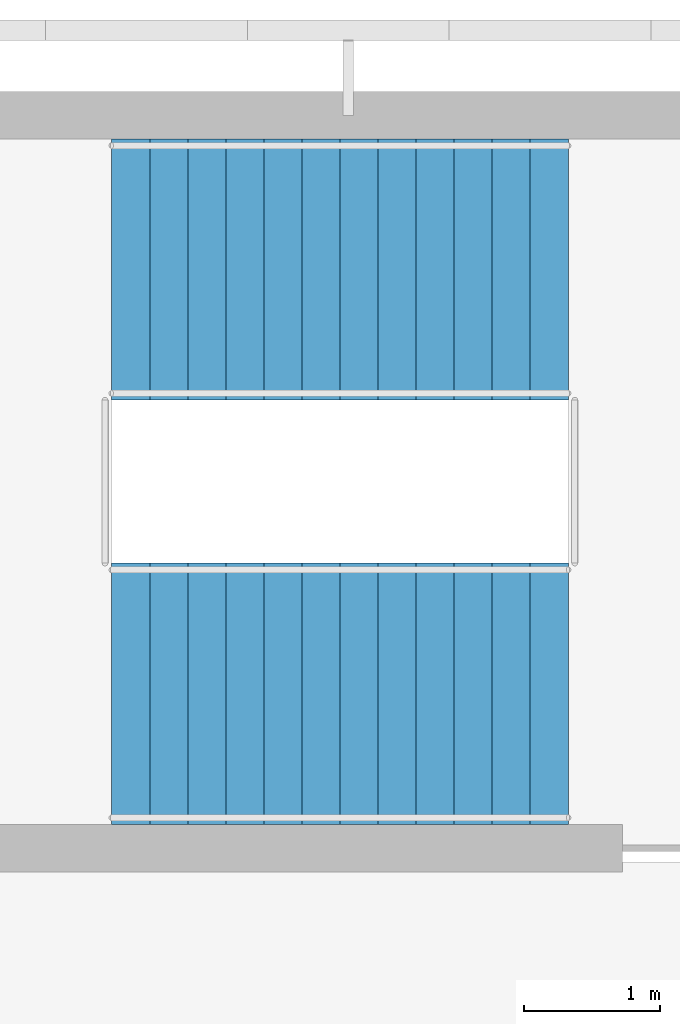
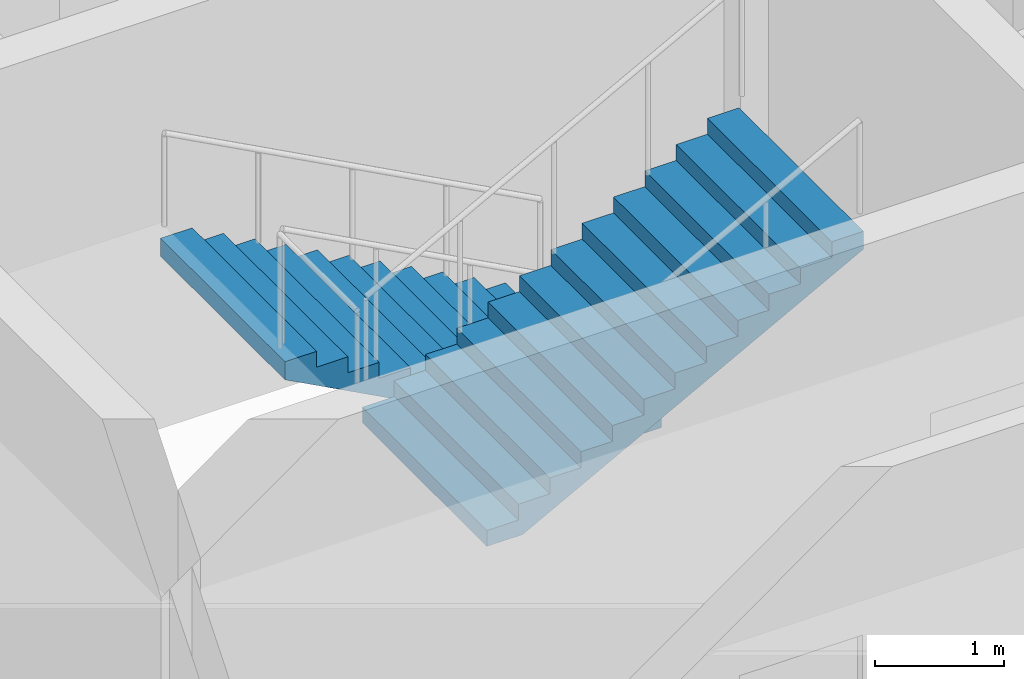
# One storey, part 47 of 74: 2 stair flights, 1 element without a shape of its own.
"""IFC4 building model written with IfcOpenShell, lengths in metres."""

from ifc_helpers import new_model, si_unit, direction, frame, origin, place, context, subcontext, project, spatial, polyline, outline, extrude, material, type_object, element, aggregate, save


model = new_model("IFC4")

# Units and contexts
model_context = context("Model", 3, precision=1e-05, world=origin(), true_north=direction((0.0, 1.0)))
body_context = subcontext(model_context, "Body", "Model", "MODEL_VIEW")
ifc_project = project(units=[si_unit("LENGTHUNIT", "METRE"), si_unit("AREAUNIT", "SQUARE_METRE"), si_unit("VOLUMEUNIT", "CUBIC_METRE"), si_unit("PLANEANGLEUNIT", "RADIAN"), si_unit("MASSUNIT", "GRAM", prefix="KILO")], contexts=[model_context])

# Site, building, storey
site_placement = place(None, origin())
site = spatial("IfcSite", under=ifc_project, at=site_placement, CompositionType="ELEMENT")
building_placement = place(site_placement, origin())
building = spatial("IfcBuilding", under=site, at=building_placement, Name="Bougainvillea Quay General Hospital", CompositionType="ELEMENT")
storey_placement = place(building_placement, frame((0.0, 0.0, 21.0)))
storey = spatial("IfcBuildingStorey", under=building, at=storey_placement, Name="L04", CompositionType="ELEMENT", Elevation=21.0)

# Stair, stair flights
ifc_material = material(Name="Concrete C35", Category="concrete")
stair_type = type_object("IfcStairType", Name="Stair half-turn 1925 wide", PredefinedType="HALF_TURN_STAIR", material=ifc_material)
stair_placement = place(storey_placement, origin())
stair = element("IfcStair", 1, at=stair_placement, inside=storey, type_object=stair_type, Name="L04 stair ST-A4", PredefinedType="HALF_TURN_STAIR")
stair_flight_type = type_object("IfcStairFlightType", Name="Stair flight 1925", PredefinedType="STRAIGHT", material=ifc_material)
stair_flight_1_placement = place(storey_placement, frame((182.699951171875, 158.46240234375, 0.0), z_axis=(0.0, 0.0, 1.0), x_axis=(-1.0, 0.0, 0.0)))
stair_flight_1 = element("IfcStairFlight", 2, at=stair_flight_1_placement, type_object=stair_flight_type, Name="ST-A4 flight 1", NumberOfRisers=13, NumberOfTreads=12, PredefinedType="STRAIGHT", RiserHeight=0.15, TreadLength=0.28, context=body_context, shape_type="SweptSolid", body=[
    extrude(outline(polyline([(-0.0029296875, 0.0), (-0.0029296875, 0.003662109375), (-0.0029296875, 0.00732421875), (-0.0029296875, 0.010986328125), (-0.0029296875, 0.0146484375), (-0.0029296875, 0.018310546875), (-0.0029296875, 0.02197265625), (-0.0029296875, 0.025634765625), (-0.0029296875, 0.029296875), (-0.0029296875, 0.032958984375), (-0.0029296875, 0.03662109375), (-0.0029296875, 0.040283203125), (-0.0029296875, 0.0439453125), (-0.0029296875, 0.047607421875), (-0.0029296875, 0.05126953125), (-0.0029296875, 0.054931640625), (-0.0029296875, 0.05859375), (-0.0029296875, 0.062255859375), (-0.0029296875, 0.06591796875), (-0.0029296875, 0.069580078125), (-0.0029296875, 0.0732421875), (-0.0029296875, 0.076904296875), (-0.0029296875, 0.08056640625), (-0.0029296875, 0.084228515625), (-0.0029296875, 0.087890625), (-0.0029296875, 0.091552734375), (-0.0029296875, 0.09521484375), (-0.0029296875, 0.098876953125), (-0.0029296875, 0.1025390625), (-0.0029296875, 0.106201171875), (-0.0029296875, 0.10986328125), (-0.0029296875, 0.113525390625), (-0.0029296875, 0.1171875), (-0.0029296875, 0.120849609375), (-0.0029296875, 0.12451171875), (-0.0029296875, 0.1279296875), (-0.0029296875, 0.131591796875), (-0.0029296875, 0.13525390625), (-0.0029296875, 0.138916015625), (-0.0029296875, 0.142578125), (-0.0029296875, 0.146240234375), (-0.0029296875, 0.14990234375), (0.280029296875, 0.14990234375), (0.280029296875, 0.300048828125), (0.56005859375, 0.300048828125), (0.56005859375, 0.449951171875), (0.840087890625, 0.449951171875), (0.840087890625, 0.60009765625), (1.1201171875, 0.60009765625), (1.1201171875, 0.75), (1.39990234375, 0.75), (1.39990234375, 0.89990234375), (1.679931640625, 0.89990234375), (1.679931640625, 1.050048828125), (1.9599609375, 1.050048828125), (1.9599609375, 1.199951171875), (2.239990234375, 1.199951171875), (2.239990234375, 1.35009765625), (2.52001953125, 1.35009765625), (2.52001953125, 1.5), (2.800048828125, 1.5), (2.800048828125, 1.64990234375), (3.080078125, 1.64990234375), (3.080078125, 1.800048828125), (3.363037109375, 1.800048828125), (3.363037109375, 1.7958984375), (3.363037109375, 1.791748046875), (3.363037109375, 1.78759765625), (3.363037109375, 1.783447265625), (3.363037109375, 1.779296875), (3.363037109375, 1.775146484375), (3.363037109375, 1.77099609375), (3.363037109375, 1.766845703125), (3.363037109375, 1.7626953125), (3.363037109375, 1.758544921875), (3.363037109375, 1.75439453125), (3.363037109375, 1.750244140625), (3.363037109375, 1.74609375), (3.363037109375, 1.741943359375), (3.363037109375, 1.73779296875), (3.363037109375, 1.733642578125), (3.363037109375, 1.7294921875), (3.363037109375, 1.725341796875), (3.363037109375, 1.72119140625), (3.363037109375, 1.717041015625), (3.363037109375, 1.712890625), (3.363037109375, 1.708740234375), (3.363037109375, 1.70458984375), (3.363037109375, 1.700439453125), (3.363037109375, 1.6962890625), (3.363037109375, 1.692138671875), (3.363037109375, 1.68798828125), (3.363037109375, 1.683837890625), (3.363037109375, 1.6796875), (3.363037109375, 1.675537109375), (3.363037109375, 1.67138671875), (3.363037109375, 1.667236328125), (3.363037109375, 1.6630859375), (3.363037109375, 1.658935546875), (3.363037109375, 1.65478515625), (3.363037109375, 1.650634765625), (3.363037109375, 1.646484375), (3.363037109375, 1.642333984375), (3.363037109375, 1.63818359375), (3.363037109375, 1.634033203125), (3.363037109375, 1.6298828125), (0.3173828125, 0.0), (-0.0029296875, 0.0)])), frame((0.0, 0.96240234375, 0.0), z_axis=(0.0, -1.0, 0.0), x_axis=(1.0, 0.0, 0.0)), (0.0, 0.0, 1.0), 1.925048828125),
])
stair_flight_2_placement = place(storey_placement, frame((179.340087890625, 155.33740234375, 1.949951171875), z_axis=(0.0, 0.0, 1.0), x_axis=(1.0, 0.0, 0.0)))
stair_flight_2 = element("IfcStairFlight", 3, at=stair_flight_2_placement, type_object=stair_flight_type, Name="ST-A4 flight 2", NumberOfRisers=13, NumberOfTreads=12, PredefinedType="STRAIGHT", RiserHeight=0.15, TreadLength=0.28, context=body_context, shape_type="SweptSolid", body=[
    extrude(outline(polyline([(-0.0029296875, 0.0), (-0.0029296875, 0.003662109375), (-0.0029296875, 0.00732421875), (-0.0029296875, 0.010986328125), (-0.0029296875, 0.0146484375), (-0.0029296875, 0.018310546875), (-0.0029296875, 0.02197265625), (-0.0029296875, 0.025634765625), (-0.0029296875, 0.029296875), (-0.0029296875, 0.032958984375), (-0.0029296875, 0.03662109375), (-0.0029296875, 0.040283203125), (-0.0029296875, 0.0439453125), (-0.0029296875, 0.047607421875), (-0.0029296875, 0.05126953125), (-0.0029296875, 0.054931640625), (-0.0029296875, 0.05859375), (-0.0029296875, 0.062255859375), (-0.0029296875, 0.06591796875), (-0.0029296875, 0.069580078125), (-0.0029296875, 0.0732421875), (-0.0029296875, 0.076904296875), (-0.0029296875, 0.08056640625), (-0.0029296875, 0.084228515625), (-0.0029296875, 0.087890625), (-0.0029296875, 0.091552734375), (-0.0029296875, 0.09521484375), (-0.0029296875, 0.098876953125), (-0.0029296875, 0.1025390625), (-0.0029296875, 0.106201171875), (-0.0029296875, 0.10986328125), (-0.0029296875, 0.113525390625), (-0.0029296875, 0.1171875), (-0.0029296875, 0.120849609375), (-0.0029296875, 0.12451171875), (-0.0029296875, 0.1279296875), (-0.0029296875, 0.131591796875), (-0.0029296875, 0.13525390625), (-0.0029296875, 0.138916015625), (-0.0029296875, 0.142578125), (-0.0029296875, 0.146240234375), (-0.0029296875, 0.14990234375), (0.280029296875, 0.14990234375), (0.280029296875, 0.300048828125), (0.56005859375, 0.300048828125), (0.56005859375, 0.449951171875), (0.840087890625, 0.449951171875), (0.840087890625, 0.60009765625), (1.1201171875, 0.60009765625), (1.1201171875, 0.75), (1.39990234375, 0.75), (1.39990234375, 0.89990234375), (1.679931640625, 0.89990234375), (1.679931640625, 1.050048828125), (1.9599609375, 1.050048828125), (1.9599609375, 1.199951171875), (2.239990234375, 1.199951171875), (2.239990234375, 1.35009765625), (2.52001953125, 1.35009765625), (2.52001953125, 1.5), (2.800048828125, 1.5), (2.800048828125, 1.64990234375), (3.080078125, 1.64990234375), (3.080078125, 1.800048828125), (3.363037109375, 1.800048828125), (3.363037109375, 1.7958984375), (3.363037109375, 1.791748046875), (3.363037109375, 1.78759765625), (3.363037109375, 1.783447265625), (3.363037109375, 1.779296875), (3.363037109375, 1.775146484375), (3.363037109375, 1.77099609375), (3.363037109375, 1.766845703125), (3.363037109375, 1.7626953125), (3.363037109375, 1.758544921875), (3.363037109375, 1.75439453125), (3.363037109375, 1.750244140625), (3.363037109375, 1.74609375), (3.363037109375, 1.741943359375), (3.363037109375, 1.73779296875), (3.363037109375, 1.733642578125), (3.363037109375, 1.7294921875), (3.363037109375, 1.725341796875), (3.363037109375, 1.72119140625), (3.363037109375, 1.717041015625), (3.363037109375, 1.712890625), (3.363037109375, 1.708740234375), (3.363037109375, 1.70458984375), (3.363037109375, 1.700439453125), (3.363037109375, 1.6962890625), (3.363037109375, 1.692138671875), (3.363037109375, 1.68798828125), (3.363037109375, 1.683837890625), (3.363037109375, 1.6796875), (3.363037109375, 1.675537109375), (3.363037109375, 1.67138671875), (3.363037109375, 1.667236328125), (3.363037109375, 1.6630859375), (3.363037109375, 1.658935546875), (3.363037109375, 1.65478515625), (3.363037109375, 1.650634765625), (3.363037109375, 1.646484375), (3.363037109375, 1.642333984375), (3.363037109375, 1.63818359375), (3.363037109375, 1.634033203125), (3.363037109375, 1.6298828125), (0.3173828125, 0.0), (-0.0029296875, 0.0)])), frame((0.0, 0.96240234375, 0.0), z_axis=(0.0, -1.0, 0.0), x_axis=(1.0, 0.0, 0.0)), (0.0, 0.0, 1.0), 1.925048828125),
])
aggregate(stair, [stair_flight_1, stair_flight_2])

save(model, "model.ifc")
